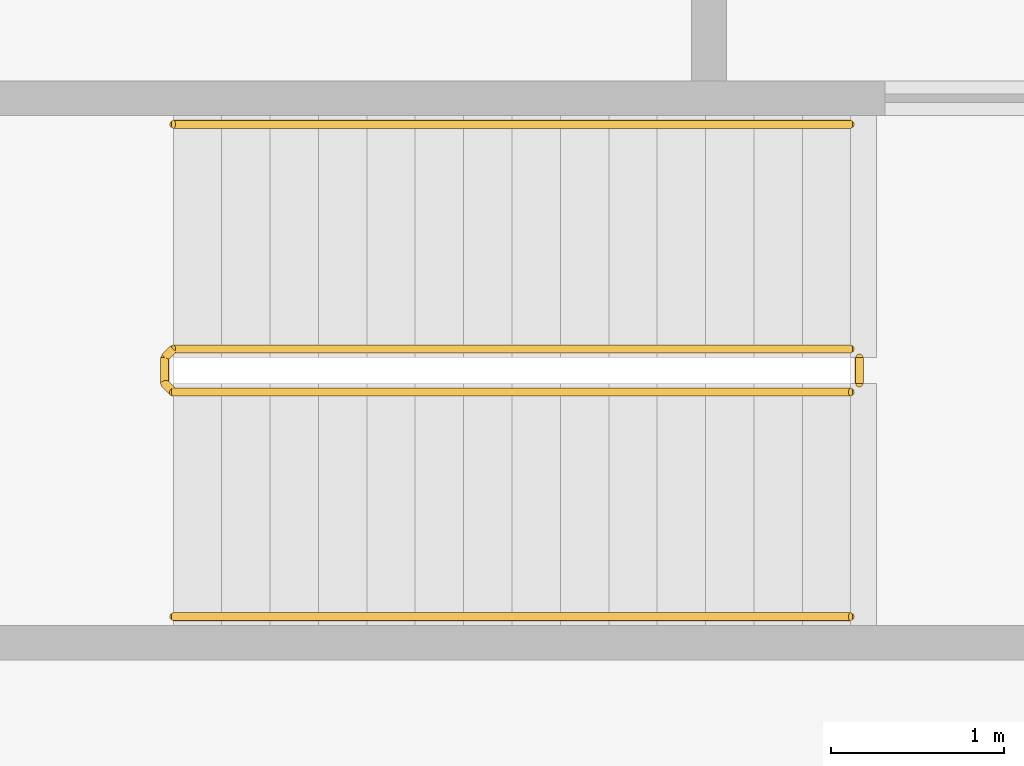
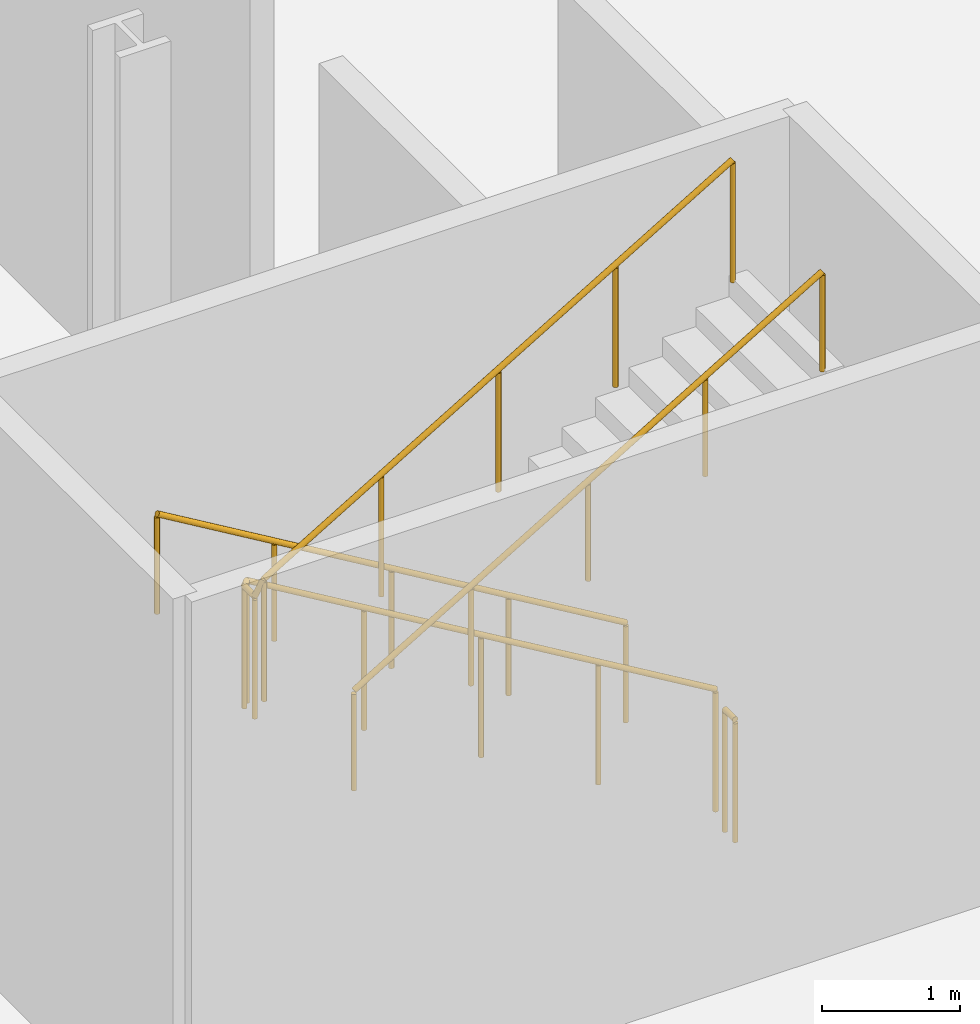
# One storey, part 16 of 19: 4 railings.
"""IFC4 building model written with IfcOpenShell, lengths in metres."""

from ifc_helpers import new_model, si_unit, direction, frame, origin, origin_2d, place, context, subcontext, project, spatial, circle, extrude, material, type_object, element, save


model = new_model("IFC4")

# Units and contexts
model_context = context("Model", 3, precision=1e-05, world=origin(), true_north=direction((0.0, 1.0)))
body_context = subcontext(model_context, "Body", "Model", "MODEL_VIEW")
ifc_project = project(units=[si_unit("LENGTHUNIT", "METRE"), si_unit("AREAUNIT", "SQUARE_METRE"), si_unit("VOLUMEUNIT", "CUBIC_METRE"), si_unit("PLANEANGLEUNIT", "RADIAN"), si_unit("MASSUNIT", "GRAM", prefix="KILO")], contexts=[model_context])

# Site, building, storey
site_placement = place(None, origin())
site = spatial("IfcSite", under=ifc_project, at=site_placement, CompositionType="ELEMENT")
building_placement = place(site_placement, origin())
building = spatial("IfcBuilding", under=site, at=building_placement, Name="Kheshtan School and Residences Tower", CompositionType="ELEMENT")
storey_placement = place(building_placement, frame((0.0, 0.0, -5.0)))
storey = spatial("IfcBuildingStorey", under=building, at=storey_placement, Name="B1", CompositionType="ELEMENT", Elevation=-5.0)

# Railings
ifc_material_1 = material(Name="Stainless steel balustrade", Category="steel")
railing_type_1 = type_object("IfcRailingType", Name="Stair guard 1100", PredefinedType="GUARDRAIL", material=ifc_material_1)
railing_1_placement = place(storey_placement, frame((17.419921875, 62.550048828125, 0.166748046875)))
element("IfcRailing", 1, at=railing_1_placement, inside=storey, type_object=railing_type_1, Name="B1 SS-west stair guard 1", PredefinedType="GUARDRAIL", context=body_context, shape_type="SweptSolid", body=[
    extrude(circle(Radius=0.02392578125, at=origin_2d()), frame((0.0, 0.0, 1.076171875), z_axis=(-0.859296244711, 0.0, 0.511478214419), x_axis=(0.0, -1.0, 0.0)), (0.0, 0.0, 1.0), 4.561767578125),
    extrude(circle(Radius=0.02392578125, at=origin_2d()), frame((-3.919921875, 0.0, 3.4091796875), z_axis=(-0.707106781187, -0.707106781187, 0.0), x_axis=(0.707106781187, -0.707106781187, 0.0)), (0.0, 0.0, 1.0), 0.07080078125),
    extrude(circle(Radius=0.02392578125, at=origin_2d()), frame((-3.969970703125, -0.050048828125, 3.4091796875), z_axis=(0.0, -1.0, 0.0), x_axis=(1.0, 0.0, 0.0)), (0.0, 0.0, 1.0), 0.14990234375),
    extrude(circle(Radius=0.02392578125, at=origin_2d()), frame((-3.969970703125, -0.199951171875, 3.4091796875), z_axis=(0.27628659633, -0.27628659633, 0.920506074601), x_axis=(0.707106781187, 0.707106781187, 0.0)), (0.0, 0.0, 1.0), 0.18115234375),
    extrude(circle(Radius=0.02392578125, at=origin_2d()), frame((-3.919921875, -0.25, 3.576171875), z_axis=(0.859296244711, 0.0, 0.511478214419), x_axis=(0.0, 1.0, 0.0)), (0.0, 0.0, 1.0), 4.561767578125),
    extrude(circle(Radius=0.02099609375, at=origin_2d()), origin(), (0.0, 0.0, 1.0), 1.052001953125),
    extrude(circle(Radius=0.02099609375, at=origin_2d()), frame((-0.97998046875, 0.0, 0.583251953125)), (0.0, 0.0, 1.0), 1.052001953125),
    extrude(circle(Radius=0.02099609375, at=origin_2d()), frame((-1.9599609375, 0.0, 1.16650390625)), (0.0, 0.0, 1.0), 1.052001953125),
    extrude(circle(Radius=0.02099609375, at=origin_2d()), frame((-2.93994140625, 0.0, 1.75)), (0.0, 0.0, 1.0), 1.052001953125),
    extrude(circle(Radius=0.02099609375, at=origin_2d()), frame((-3.919921875, 0.0, 2.333251953125)), (0.0, 0.0, 1.0), 1.052001953125),
    extrude(circle(Radius=0.02099609375, at=origin_2d()), frame((-3.969970703125, -0.050048828125, 2.333251953125)), (0.0, 0.0, 1.0), 1.052001953125),
    extrude(circle(Radius=0.02099609375, at=origin_2d()), frame((-3.969970703125, -0.199951171875, 2.333251953125)), (0.0, 0.0, 1.0), 1.052001953125),
    extrude(circle(Radius=0.02099609375, at=origin_2d()), frame((-3.919921875, -0.25, 2.5)), (0.0, 0.0, 1.0), 1.052001953125),
    extrude(circle(Radius=0.02099609375, at=origin_2d()), frame((-2.93994140625, -0.25, 3.083251953125)), (0.0, 0.0, 1.0), 1.052001953125),
    extrude(circle(Radius=0.02099609375, at=origin_2d()), frame((-1.9599609375, -0.25, 3.66650390625)), (0.0, 0.0, 1.0), 1.052001953125),
    extrude(circle(Radius=0.02099609375, at=origin_2d()), frame((-0.97998046875, -0.25, 4.25)), (0.0, 0.0, 1.0), 1.052001953125),
    extrude(circle(Radius=0.02099609375, at=origin_2d()), frame((0.0, -0.25, 4.833251953125)), (0.0, 0.0, 1.0), 1.052001953125),
])
railing_2_placement = place(storey_placement, frame((17.469970703125, 62.5, 0.0)))
element("IfcRailing", 2, at=railing_2_placement, inside=storey, type_object=railing_type_1, Name="B1 SS-west stair guard 2", PredefinedType="GUARDRAIL", context=body_context, shape_type="SweptSolid", body=[
    extrude(circle(Radius=0.02392578125, at=origin_2d()), frame((0.0, 0.0, 1.076171875), z_axis=(0.0, -1.0, 0.0), x_axis=(1.0, 0.0, 0.0)), (0.0, 0.0, 1.0), 0.14990234375),
    extrude(circle(Radius=0.02099609375, at=origin_2d()), origin(), (0.0, 0.0, 1.0), 1.052001953125),
    extrude(circle(Radius=0.02099609375, at=origin_2d()), frame((0.0, -0.14990234375, 0.0)), (0.0, 0.0, 1.0), 1.052001953125),
])
ifc_material_2 = material(Name="Stainless steel handrail", Category="steel")
railing_type_2 = type_object("IfcRailingType", Name="Stair handrail 900", PredefinedType="HANDRAIL", material=ifc_material_2)
railing_3_placement = place(storey_placement, frame((17.419921875, 63.85009765625, 0.166748046875)))
element("IfcRailing", 3, at=railing_3_placement, inside=storey, type_object=railing_type_2, Name="B1 SS-west stair handrail 1", PredefinedType="HANDRAIL", context=body_context, shape_type="SweptSolid", body=[
    extrude(circle(Radius=0.02392578125, at=origin_2d()), frame((0.0, 0.0, 0.8759765625), z_axis=(-0.859296244711, 0.0, 0.511478214419), x_axis=(0.0, -1.0, 0.0)), (0.0, 0.0, 1.0), 4.561767578125),
    extrude(circle(Radius=0.02099609375, at=origin_2d()), origin(), (0.0, 0.0, 1.0), 0.851806640625),
    extrude(circle(Radius=0.02099609375, at=origin_2d()), frame((-0.97998046875, 0.0, 0.583251953125)), (0.0, 0.0, 1.0), 0.851806640625),
    extrude(circle(Radius=0.02099609375, at=origin_2d()), frame((-1.9599609375, 0.0, 1.16650390625)), (0.0, 0.0, 1.0), 0.851806640625),
    extrude(circle(Radius=0.02099609375, at=origin_2d()), frame((-2.93994140625, 0.0, 1.75)), (0.0, 0.0, 1.0), 0.851806640625),
    extrude(circle(Radius=0.02099609375, at=origin_2d()), frame((-3.919921875, 0.0, 2.333251953125)), (0.0, 0.0, 1.0), 0.851806640625),
])
railing_4_placement = place(storey_placement, frame((13.5, 61.0, 2.666748046875)))
element("IfcRailing", 4, at=railing_4_placement, inside=storey, type_object=railing_type_2, Name="B1 SS-west stair handrail 2", PredefinedType="HANDRAIL", context=body_context, shape_type="SweptSolid", body=[
    extrude(circle(Radius=0.02392578125, at=origin_2d()), frame((0.0, 0.0, 0.8759765625), z_axis=(0.859296244711, 0.0, 0.511478214419), x_axis=(0.0, 1.0, 0.0)), (0.0, 0.0, 1.0), 4.561767578125),
    extrude(circle(Radius=0.02099609375, at=origin_2d()), origin(), (0.0, 0.0, 1.0), 0.851806640625),
    extrude(circle(Radius=0.02099609375, at=origin_2d()), frame((0.97998046875, 0.0, 0.583251953125)), (0.0, 0.0, 1.0), 0.851806640625),
    extrude(circle(Radius=0.02099609375, at=origin_2d()), frame((1.9599609375, 0.0, 1.16650390625)), (0.0, 0.0, 1.0), 0.851806640625),
    extrude(circle(Radius=0.02099609375, at=origin_2d()), frame((2.93994140625, 0.0, 1.75)), (0.0, 0.0, 1.0), 0.851806640625),
    extrude(circle(Radius=0.02099609375, at=origin_2d()), frame((3.919921875, 0.0, 2.333251953125)), (0.0, 0.0, 1.0), 0.851806640625),
])

save(model, "model.ifc")
